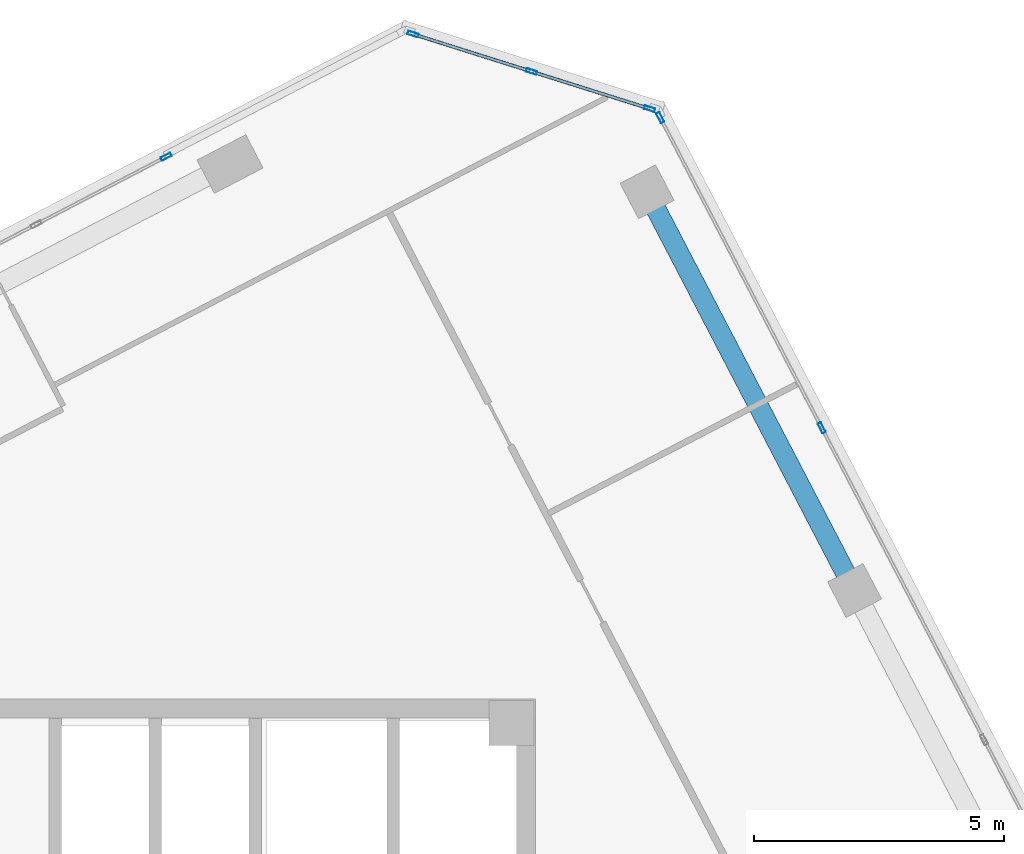
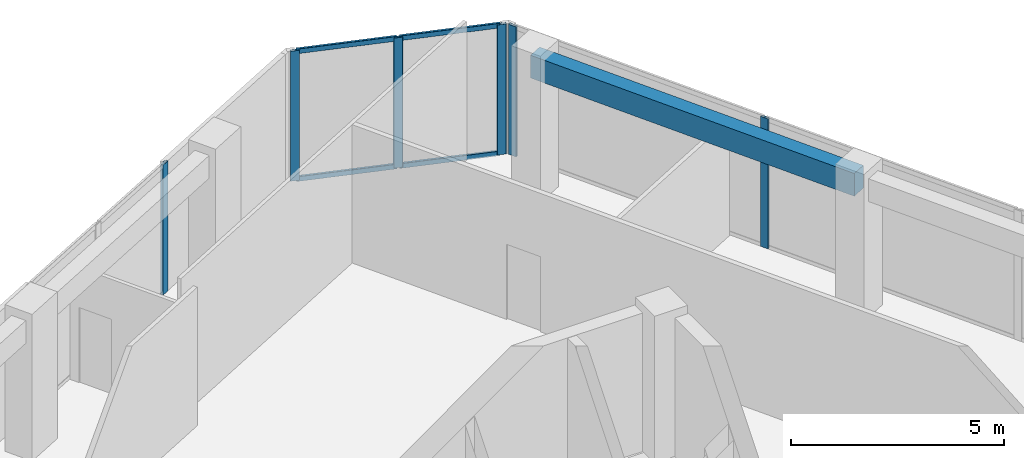
# One storey, part 10 of 17: 10 members, 1 beam, 3 elements without a shape of their own.
"""IFC4 building model written with IfcOpenShell, lengths in metres."""

from ifc_helpers import new_model, si_unit, direction, frame, origin, origin_2d, place, context, subcontext, project, spatial, rectangle, hollow_rectangle, extrude, source, transform, mapped, material, material_profile, profile_set, type_object, element, aggregate, save


model = new_model("IFC4")

# Units and contexts
model_context = context("Model", 3, precision=1e-05, world=origin(), true_north=direction((0.0, 1.0)))
body_context = subcontext(model_context, "Body", "Model", "MODEL_VIEW")
ifc_project = project(units=[si_unit("LENGTHUNIT", "METRE"), si_unit("AREAUNIT", "SQUARE_METRE"), si_unit("VOLUMEUNIT", "CUBIC_METRE"), si_unit("PLANEANGLEUNIT", "RADIAN"), si_unit("MASSUNIT", "GRAM", prefix="KILO")], contexts=[model_context])

# Site, building, storey
site_placement = place(None, origin())
site = spatial("IfcSite", under=ifc_project, at=site_placement, CompositionType="ELEMENT")
building_placement = place(site_placement, origin())
building = spatial("IfcBuilding", under=site, at=building_placement, Name="Torre Montelarca", CompositionType="ELEMENT")
storey_placement = place(building_placement, frame((0.0, 0.0, 332.39990234375)))
storey = spatial("IfcBuildingStorey", under=building, at=storey_placement, Name="L75", CompositionType="ELEMENT", Elevation=332.39990234375)

# Beam
ifc_material_1 = material(Name="Concrete C40/50", Category="concrete")
ifc_material_profile_1 = material_profile(ifc_material_1, rectangle(XDim=0.39990234375, YDim=0.64990234375, at=origin_2d()), Name="RCB400X650", Category="concrete")
ifc_profile_set_1 = profile_set([ifc_material_profile_1], Name="Concrete C40/50")
beam_type = type_object("IfcBeamType", Name="BM-SP-RC650-EXT", PredefinedType="SPANDREL", material=ifc_profile_set_1)
shared_shape_1 = source(origin(), body_context, "Body", "SweptSolid", [
    extrude(rectangle(XDim=0.39990234375, YDim=0.64990234375, at=origin_2d()), origin(), (0.0, 0.0, 1.0), 8.999755859375),
])
beam_placement = place(storey_placement, frame((29.16650390625, 50.0830078125, 3.635009765625), z_axis=(0.4617379111, -0.887016404275, 0.0), x_axis=(0.887016404275, 0.4617379111, 0.0)))
element("IfcBeam", 1, at=beam_placement, inside=storey, type_object=beam_type, Name="L75 Grid Girder X 9.0-18.0 at Y=47.1", PredefinedType="SPANDREL", context=body_context, shape_type="MappedRepresentation", body=[
    mapped(shared_shape_1, transform((0.0, 0.0, 0.0), scale=1.0)),
])

# Curtain wall, members
ifc_material_2 = material(Name="Insulated low-E laminated glass", Category="glass")
curtain_wall_type = type_object("IfcCurtainWallType", Name="CW-SYS-Z4", PredefinedType="USERDEFINED", material=ifc_material_2)
curtain_wall_1_placement = place(storey_placement, origin())
curtain_wall_1 = element("IfcCurtainWall", 2, at=curtain_wall_1_placement, inside=storey, type_object=curtain_wall_type, Name="L75 Curtain Wall Run CW-T3-L75-E08-B1", ObjectType="UNITISED GLAZING", PredefinedType="USERDEFINED")
ifc_material_3 = material(Name="Anodised aluminium AA 6063-T6", Category="aluminium")
ifc_material_profile_2 = material_profile(ifc_material_3, hollow_rectangle(XDim=0.074951171875, YDim=0.219970703125, WallThickness=0.0048828125, InnerFilletRadius=0.0048828125, OuterFilletRadius=0.010009765625, at=origin_2d()), Name="ALU75X220X5", Category="aluminium")
ifc_profile_set_2 = profile_set([ifc_material_profile_2], Name="Anodised aluminium AA 6063-T6")
member_type_1 = type_object("IfcMemberType", Name="CWM-ALU220", PredefinedType="MULLION", material=ifc_profile_set_2)
shared_shape_2 = source(origin(), body_context, "Body", "SweptSolid", [
    extrude(hollow_rectangle(XDim=0.074951171875, YDim=0.219970703125, WallThickness=0.0048828125, InnerFilletRadius=0.0048828125, OuterFilletRadius=0.010009765625, at=origin_2d()), origin(), (0.0, 0.0, 1.0), 3.72021484375),
])
member_1_placement = place(storey_placement, frame((32.664306640625, 45.356201171875, 0.0), z_axis=(0.0, 0.0, 1.0), x_axis=(-0.887012754742, -0.461744921926, 0.0)))
member_1 = element("IfcMember", 3, at=member_1_placement, type_object=member_type_1, Name="CW mullion 4", PredefinedType="MULLION", context=body_context, shape_type="MappedRepresentation", body=[
    mapped(shared_shape_2, transform((0.0, 0.0, 0.0), scale=1.0)),
])
member_2_placement = place(storey_placement, frame((29.429931640625, 51.5693359375, 0.0), z_axis=(0.0, 0.0, 1.0), x_axis=(-0.887012754742, -0.461744921926, 0.0)))
member_2 = element("IfcMember", 4, at=member_2_placement, type_object=member_type_1, Name="CW mullion 5", PredefinedType="MULLION", context=body_context, shape_type="MappedRepresentation", body=[
    mapped(shared_shape_2, transform((0.0, 0.0, 0.0), scale=1.0)),
])
aggregate(curtain_wall_1, [member_1, member_2])

curtain_wall_2_placement = place(storey_placement, origin())
curtain_wall_2 = element("IfcCurtainWall", 5, at=curtain_wall_2_placement, inside=storey, type_object=curtain_wall_type, Name="L75 Curtain Wall Run CW-T3-L75-E09-B1", ObjectType="UNITISED GLAZING", PredefinedType="USERDEFINED")
member_3_placement = place(storey_placement, frame((29.21826171875, 51.7470703125, 0.0), z_axis=(0.0, 0.0, 1.0), x_axis=(-0.300692834013, -0.953721038655, 0.0)))
member_3 = element("IfcMember", 6, at=member_3_placement, type_object=member_type_1, Name="CW mullion 1", PredefinedType="MULLION", context=body_context, shape_type="MappedRepresentation", body=[
    mapped(shared_shape_2, transform((0.0, 0.0, 0.0), scale=1.0)),
])
member_4_placement = place(storey_placement, frame((26.849609375, 52.493896484375, 0.0), z_axis=(0.0, 0.0, 1.0), x_axis=(-0.300692834013, -0.953721038655, 0.0)))
member_4 = element("IfcMember", 7, at=member_4_placement, type_object=member_type_1, Name="CW mullion 2", PredefinedType="MULLION", context=body_context, shape_type="MappedRepresentation", body=[
    mapped(shared_shape_2, transform((0.0, 0.0, 0.0), scale=1.0)),
])
member_5_placement = place(storey_placement, frame((24.48095703125, 53.24072265625, 0.0), z_axis=(0.0, 0.0, 1.0), x_axis=(-0.300692834013, -0.953721038655, 0.0)))
member_5 = element("IfcMember", 8, at=member_5_placement, type_object=member_type_1, Name="CW mullion 3", PredefinedType="MULLION", context=body_context, shape_type="MappedRepresentation", body=[
    mapped(shared_shape_2, transform((0.0, 0.0, 0.0), scale=1.0)),
])

# Curtain wall, member
curtain_wall_3_placement = place(storey_placement, origin())
curtain_wall_3 = element("IfcCurtainWall", 9, at=curtain_wall_3_placement, inside=storey, type_object=curtain_wall_type, Name="L75 Curtain Wall Run CW-T3-L75-E10-B1", ObjectType="UNITISED GLAZING", PredefinedType="USERDEFINED")
member_6_placement = place(storey_placement, frame((19.5361328125, 50.785888671875, 0.0), z_axis=(0.0, 0.0, 1.0), x_axis=(0.461753424587, -0.88700832853, 0.0)))
member_6 = element("IfcMember", 10, at=member_6_placement, type_object=member_type_1, Name="CW mullion 1", PredefinedType="MULLION", context=body_context, shape_type="MappedRepresentation", body=[
    mapped(shared_shape_2, transform((0.0, 0.0, 0.0), scale=1.0)),
])
aggregate(curtain_wall_3, [member_6])

# Member
ifc_material_profile_3 = material_profile(ifc_material_3, hollow_rectangle(XDim=0.06494140625, YDim=0.139892578125, WallThickness=0.00390625, InnerFilletRadius=0.00390625, OuterFilletRadius=0.008056640625, at=origin_2d()), Name="ALU65X140X4", Category="aluminium")
ifc_profile_set_3 = profile_set([ifc_material_profile_3], Name="Anodised aluminium AA 6063-T6")
member_type_2 = type_object("IfcMemberType", Name="CWT-ALU140", PredefinedType="USERDEFINED", material=ifc_profile_set_3)
shared_shape_3 = source(origin(), body_context, "Body", "SweptSolid", [
    extrude(hollow_rectangle(XDim=0.06494140625, YDim=0.139892578125, WallThickness=0.00390625, InnerFilletRadius=0.00390625, OuterFilletRadius=0.008056640625, at=origin_2d()), origin(), (0.0, 0.0, 1.0), 2.40869140625),
])
member_7_placement = place(storey_placement, frame((29.1826171875, 51.75830078125, 0.03271484375), z_axis=(-0.953744897791, 0.300617148443, 0.0), x_axis=(-0.300617148443, -0.953744897791, 0.0)))
member_7 = element("IfcMember", 11, at=member_7_placement, type_object=member_type_2, Name="CW transom 1.1", ObjectType="TRANSOM", PredefinedType="USERDEFINED", context=body_context, shape_type="MappedRepresentation", body=[
    mapped(shared_shape_3, transform((0.0, 0.0, 0.0), scale=1.0)),
])

member_8_placement = place(storey_placement, frame((29.1826171875, 51.75830078125, 3.6875), z_axis=(-0.953744897791, 0.300617148443, 0.0), x_axis=(-0.300617148443, -0.953744897791, 0.0)))
member_8 = element("IfcMember", 12, at=member_8_placement, type_object=member_type_2, Name="CW transom 1.2", ObjectType="TRANSOM", PredefinedType="USERDEFINED", context=body_context, shape_type="MappedRepresentation", body=[
    mapped(shared_shape_3, transform((0.0, 0.0, 0.0), scale=1.0)),
])

shared_shape_4 = source(origin(), body_context, "Body", "SweptSolid", [
    extrude(hollow_rectangle(XDim=0.06494140625, YDim=0.139892578125, WallThickness=0.00390625, InnerFilletRadius=0.00390625, OuterFilletRadius=0.008056640625, at=origin_2d()), origin(), (0.0, 0.0, 1.0), 2.408447265625),
])
member_9_placement = place(storey_placement, frame((26.813720703125, 52.505126953125, 0.03271484375), z_axis=(-0.953735736998, 0.300646210642, 0.0), x_axis=(-0.300646210642, -0.953735736998, 0.0)))
member_9 = element("IfcMember", 13, at=member_9_placement, type_object=member_type_2, Name="CW transom 2.1", ObjectType="TRANSOM", PredefinedType="USERDEFINED", context=body_context, shape_type="MappedRepresentation", body=[
    mapped(shared_shape_4, transform((0.0, 0.0, 0.0), scale=1.0)),
])

member_10_placement = place(storey_placement, frame((26.813720703125, 52.505126953125, 3.6875), z_axis=(-0.953735736998, 0.300646210642, 0.0), x_axis=(-0.300646210642, -0.953735736998, 0.0)))
member_10 = element("IfcMember", 14, at=member_10_placement, type_object=member_type_2, Name="CW transom 2.2", ObjectType="TRANSOM", PredefinedType="USERDEFINED", context=body_context, shape_type="MappedRepresentation", body=[
    mapped(shared_shape_4, transform((0.0, 0.0, 0.0), scale=1.0)),
])

aggregate(curtain_wall_2, [member_3, member_4, member_5, member_7, member_8, member_9, member_10])

save(model, "model.ifc")
